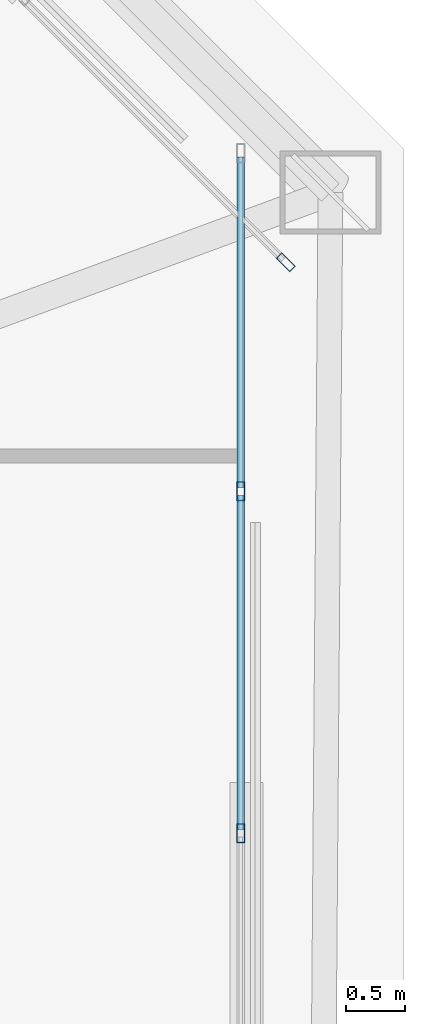
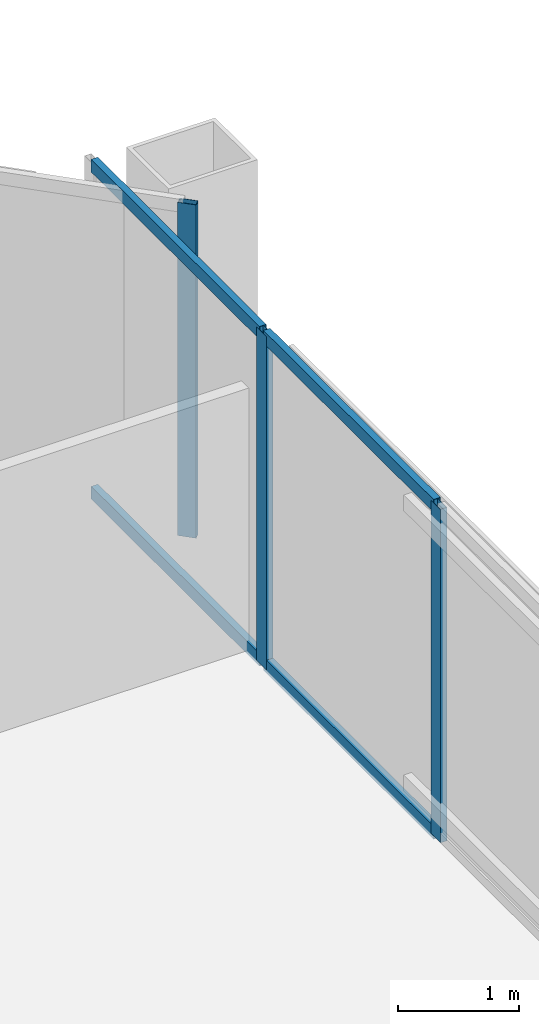
# One storey, part 25 of 39: 7 members, 2 elements without a shape of their own.
"""IFC4 building model written with IfcOpenShell, lengths in metres."""

from ifc_helpers import new_model, si_unit, direction, frame, origin, origin_2d, place, context, subcontext, project, spatial, hollow_rectangle, extrude, material, layer, layer_set, material_profile, profile_set, type_object, element, aggregate, save


model = new_model("IFC4")

# Units and contexts
model_context = context("Model", 3, precision=1e-05, world=origin(), true_north=direction((0.0, 1.0)))
body_context = subcontext(model_context, "Body", "Model", "MODEL_VIEW")
ifc_project = project(units=[si_unit("LENGTHUNIT", "METRE"), si_unit("AREAUNIT", "SQUARE_METRE"), si_unit("VOLUMEUNIT", "CUBIC_METRE"), si_unit("PLANEANGLEUNIT", "RADIAN"), si_unit("MASSUNIT", "GRAM", prefix="KILO")], contexts=[model_context])

# Site, building, storey
site_placement = place(None, origin())
site = spatial("IfcSite", under=ifc_project, at=site_placement, CompositionType="ELEMENT")
building_placement = place(site_placement, origin())
building = spatial("IfcBuilding", under=site, at=building_placement, Name="Caelvoria Tower", CompositionType="ELEMENT")
storey_placement = place(building_placement, frame((0.0, 0.0, 198.60009765625)))
storey = spatial("IfcBuildingStorey", under=building, at=storey_placement, Name="L52", CompositionType="ELEMENT", Elevation=198.60009765625)

# Curtain wall, members
ifc_material_1 = material(Name="Anodised Bronze Aluminium and Low-E Glass", Category="aluminium")
ifc_layer = layer(ifc_material_1, 0.175048828125, Name="Anodised Bronze Aluminium and Low-E Glass")
ifc_layer_set = layer_set([ifc_layer], Name="CW System 4 High-Zone Tapered Crystal Facade - Anodised Bronze Aluminium and Low-E Glass")
curtain_wall_type = type_object("IfcCurtainWallType", Name="CW System 4 High-Zone Tapered Crystal Facade", PredefinedType="NOTDEFINED", material=ifc_layer_set)
curtain_wall_1_placement = place(storey_placement, origin())
curtain_wall_1 = element("IfcCurtainWall", 1, at=curtain_wall_1_placement, inside=storey, type_object=curtain_wall_type, Name="CW-04 Curtain Wall L52-E2", PredefinedType="NOTDEFINED")
ifc_material_2 = material(Name="Anodised Bronze Architectural Aluminium", Category="aluminium")
ifc_material_profile_1 = material_profile(ifc_material_2, hollow_rectangle(XDim=0.06494140625, YDim=0.159912109375, WallThickness=0.00390625, at=origin_2d()), Name="Anodised Bronze Architectural Aluminium")
ifc_profile_set_1 = profile_set([ifc_material_profile_1], Name="CW_MULL_65X160 - Anodised Bronze Architectural Aluminium")
member_type_1 = type_object("IfcMemberType", Name="Curtain Wall Mullion 65x160 Bronze Aluminium", PredefinedType="MULLION", material=ifc_profile_set_1)
member_1_placement = place(storey_placement, frame((66.820068359375, 39.22216796875, 0.0), z_axis=(0.0, 0.0, 1.0), x_axis=(-1.0, 0.0, 0.0)))
member_1 = element("IfcMember", 2, at=member_1_placement, type_object=member_type_1, Name="CW-04 mullion 8", PredefinedType="MULLION", context=body_context, shape_type="SweptSolid", body=[
    extrude(hollow_rectangle(XDim=0.06494140625, YDim=0.159912109375, WallThickness=0.00390625, at=origin_2d()), origin(), (0.0, 0.0, 1.0), 3.375),
])
member_2_placement = place(storey_placement, frame((66.820068359375, 42.111083984375, 0.0), z_axis=(0.0, 0.0, 1.0), x_axis=(-1.0, 0.0, 0.0)))
member_2 = element("IfcMember", 3, at=member_2_placement, type_object=member_type_1, Name="CW-04 mullion 9", PredefinedType="MULLION", context=body_context, shape_type="SweptSolid", body=[
    extrude(hollow_rectangle(XDim=0.06494140625, YDim=0.159912109375, WallThickness=0.00390625, at=origin_2d()), origin(), (0.0, 0.0, 1.0), 3.375),
])

# Curtain wall, member
curtain_wall_2_placement = place(storey_placement, origin())
curtain_wall_2 = element("IfcCurtainWall", 4, at=curtain_wall_2_placement, inside=storey, type_object=curtain_wall_type, Name="CW-04 Curtain Wall L52-E3", PredefinedType="NOTDEFINED")
member_3_placement = place(storey_placement, frame((67.201171875, 44.047119140625, 0.0), z_axis=(0.0, 0.0, 1.0), x_axis=(-0.707106781187, -0.707106781187, 0.0)))
member_3 = element("IfcMember", 5, at=member_3_placement, type_object=member_type_1, Name="CW-04 mullion 1", PredefinedType="MULLION", context=body_context, shape_type="SweptSolid", body=[
    extrude(hollow_rectangle(XDim=0.06494140625, YDim=0.159912109375, WallThickness=0.00390625, at=origin_2d()), origin(), (0.0, 0.0, 1.0), 3.375),
])
aggregate(curtain_wall_2, [member_3])

# Member
ifc_material_profile_2 = material_profile(ifc_material_2, hollow_rectangle(XDim=0.06494140625, YDim=0.1298828125, WallThickness=0.00341796875, at=origin_2d()), Name="Anodised Bronze Architectural Aluminium")
ifc_profile_set_2 = profile_set([ifc_material_profile_2], Name="CW_TRAN_65X130 - Anodised Bronze Architectural Aluminium")
member_type_2 = type_object("IfcMemberType", Name="Curtain Wall Transom 65x130 Bronze Aluminium", PredefinedType="USERDEFINED", material=ifc_profile_set_2)
member_4_placement = place(storey_placement, frame((66.820068359375, 39.254638671875, 0.032470703125), z_axis=(0.0, 1.0, 0.0), x_axis=(-1.0, 0.0, 0.0)))
member_4 = element("IfcMember", 6, at=member_4_placement, type_object=member_type_2, Name="CW-04 transom 8.1", ObjectType="TRANSOM", PredefinedType="USERDEFINED", context=body_context, shape_type="SweptSolid", body=[
    extrude(hollow_rectangle(XDim=0.06494140625, YDim=0.1298828125, WallThickness=0.00341796875, at=origin_2d()), origin(), (0.0, 0.0, 1.0), 2.823974609375),
])

member_5_placement = place(storey_placement, frame((66.820068359375, 39.254638671875, 3.34228515625), z_axis=(0.0, 1.0, 0.0), x_axis=(-1.0, 0.0, 0.0)))
member_5 = element("IfcMember", 7, at=member_5_placement, type_object=member_type_2, Name="CW-04 transom 8.2", ObjectType="TRANSOM", PredefinedType="USERDEFINED", context=body_context, shape_type="SweptSolid", body=[
    extrude(hollow_rectangle(XDim=0.06494140625, YDim=0.1298828125, WallThickness=0.00341796875, at=origin_2d()), origin(), (0.0, 0.0, 1.0), 2.823974609375),
])

member_6_placement = place(storey_placement, frame((66.820068359375, 42.1435546875, 0.032470703125), z_axis=(0.0, 1.0, 0.0), x_axis=(-1.0, 0.0, 0.0)))
member_6 = element("IfcMember", 8, at=member_6_placement, type_object=member_type_2, Name="CW-04 transom 9.1", ObjectType="TRANSOM", PredefinedType="USERDEFINED", context=body_context, shape_type="SweptSolid", body=[
    extrude(hollow_rectangle(XDim=0.06494140625, YDim=0.1298828125, WallThickness=0.00341796875, at=origin_2d()), origin(), (0.0, 0.0, 1.0), 2.79150390625),
])

member_7_placement = place(storey_placement, frame((66.820068359375, 42.1435546875, 3.34228515625), z_axis=(0.0, 1.0, 0.0), x_axis=(-1.0, 0.0, 0.0)))
member_7 = element("IfcMember", 9, at=member_7_placement, type_object=member_type_2, Name="CW-04 transom 9.2", ObjectType="TRANSOM", PredefinedType="USERDEFINED", context=body_context, shape_type="SweptSolid", body=[
    extrude(hollow_rectangle(XDim=0.06494140625, YDim=0.1298828125, WallThickness=0.00341796875, at=origin_2d()), origin(), (0.0, 0.0, 1.0), 2.79150390625),
])

aggregate(curtain_wall_1, [member_1, member_2, member_4, member_5, member_6, member_7])

save(model, "model.ifc")
